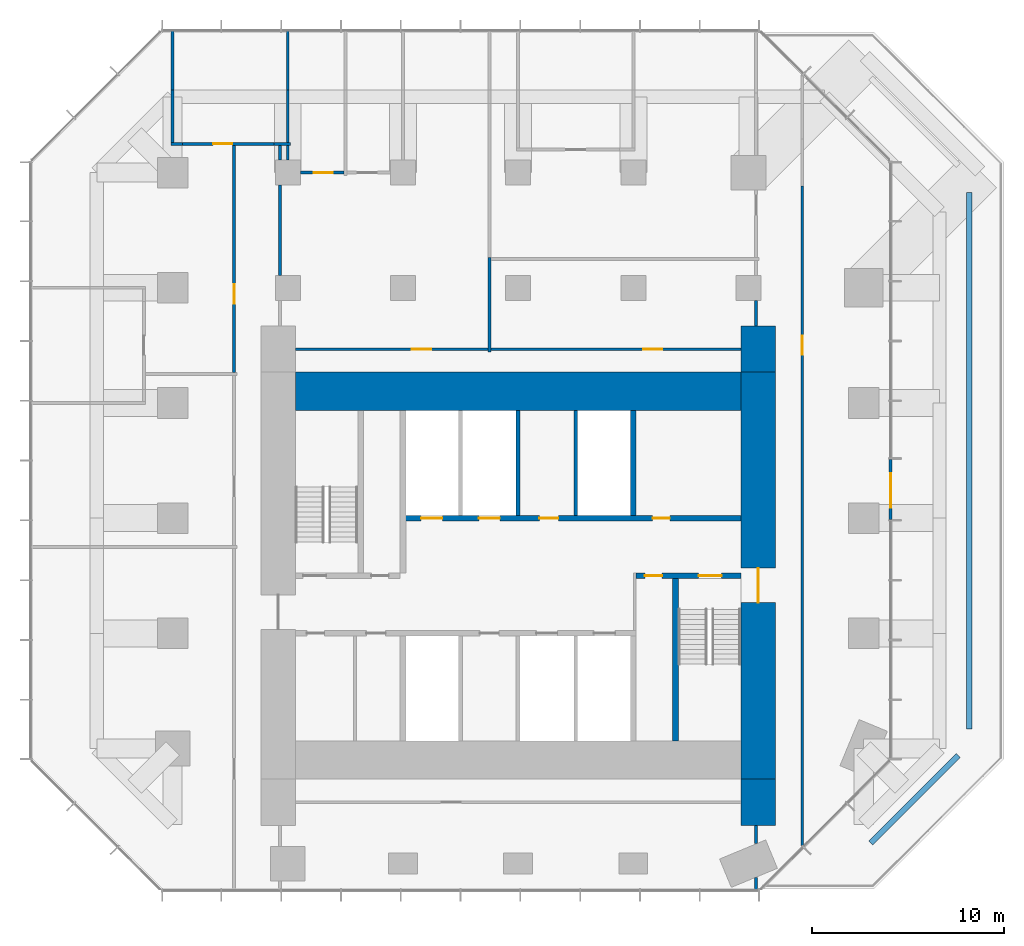
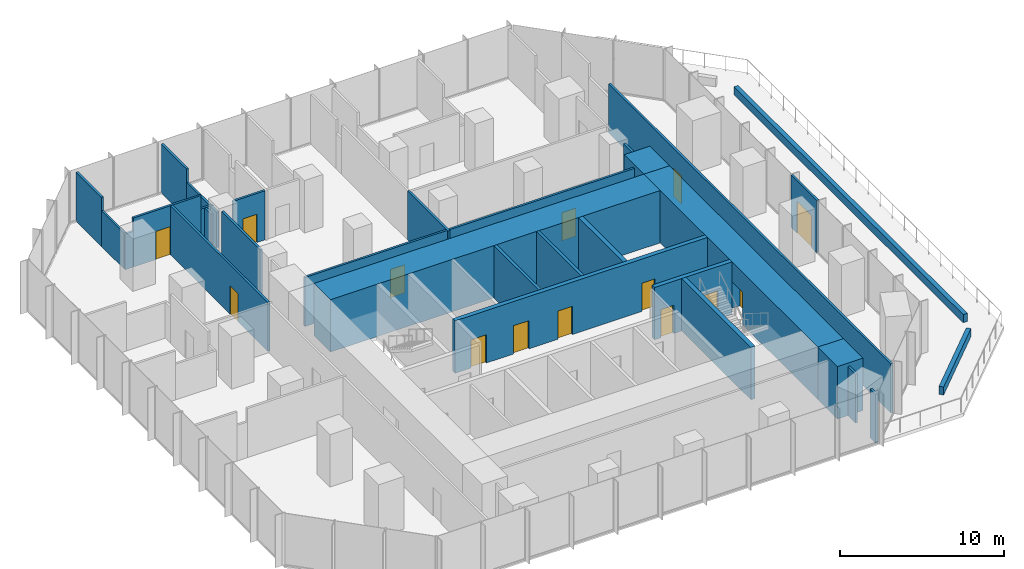
# One storey, part 9 of 11: 32 walls, 14 doors, 14 openings.
"""IFC4 building model written with IfcOpenShell, lengths in metres."""

from ifc_helpers import new_model, si_unit, direction, frame, frame_2d, origin, place, context, subcontext, project, spatial, rectangle, extrude, material, layer, layer_set, type_object, element, fill, save


model = new_model("IFC4")

# Units and contexts
model_context = context("Model", 3, precision=1e-05, world=origin(), true_north=direction((0.0, 1.0)))
body_context = subcontext(model_context, "Body", "Model", "MODEL_VIEW")
ifc_project = project(units=[si_unit("LENGTHUNIT", "METRE"), si_unit("AREAUNIT", "SQUARE_METRE"), si_unit("VOLUMEUNIT", "CUBIC_METRE"), si_unit("PLANEANGLEUNIT", "RADIAN"), si_unit("MASSUNIT", "GRAM", prefix="KILO")], contexts=[model_context])

# Site, building, storey
site_placement = place(None, origin())
site = spatial("IfcSite", under=ifc_project, at=site_placement, CompositionType="ELEMENT")
building_placement = place(site_placement, origin())
building = spatial("IfcBuilding", under=site, at=building_placement, Name="Highveld Stack Headquarters", CompositionType="ELEMENT")
storey_placement = place(building_placement, frame((0.0, 0.0, 188.89990234375)))
storey = spatial("IfcBuildingStorey", under=building, at=storey_placement, Name="L46", CompositionType="ELEMENT", Elevation=188.89990234375)

# Wall, opening, door
ifc_material_1 = material(Name="Concrete C60/75", Category="concrete")
ifc_layer_1 = layer(ifc_material_1, 1.800048828125)
ifc_layer_set_1 = layer_set([ifc_layer_1], Name="Concrete C60/75")
wall_type_1 = type_object("IfcWallType", Name="CORE WALL 1800 C60/75", PredefinedType="SHEAR", material=ifc_layer_set_1)
wall_1_placement = place(storey_placement, frame((18.5, -7.60009765625, 0.0), z_axis=(0.0, 0.0, 1.0), x_axis=(0.0, 1.0, 0.0)))
wall_1 = element("IfcWall", 1, at=wall_1_placement, inside=storey, type_object=wall_type_1, Name="Core wall E L46", PredefinedType="SHEAR", context=body_context, shape_type="SweptSolid", body=[
    extrude(rectangle(XDim=21.2001953125, YDim=1.800048828125, at=frame_2d((10.60009765625, 0.0))), origin(), (0.0, 0.0, 1.0), 3.900146484375),
])
opening_1_placement = place(wall_1_placement, frame((9.199951171875, 0.0, 0.0)))
opening_1 = element("IfcOpeningElement", 2, at=opening_1_placement, cuts=wall_1, Name="Opening L46-03", PredefinedType="OPENING", context=body_context, shape_type="SweptSolid", body=[
    extrude(rectangle(XDim=1.800048828125, YDim=2.39990234375, at=frame_2d((0.89990234375, 1.199951171875))), frame((0.0, 0.909912109375, 0.0), z_axis=(0.0, -1.0, 0.0), x_axis=(1.0, 0.0, 0.0)), (0.0, 0.0, 1.0), 1.820068359375),
])
ifc_material_2 = material(Name="Steel fire door", Category="steel")
door_type_1 = type_object("IfcDoorType", Name="LOBBY FIRE DOOR D4 1800x2400", OperationType="DOUBLE_DOOR_SINGLE_SWING", PredefinedType="DOOR", material=ifc_material_2)
door_1_placement = place(opening_1_placement, origin())
door_1 = element("IfcDoor", 3, at=door_1_placement, inside=storey, type_object=door_type_1, Name="Core east door L46", OperationType="DOUBLE_DOOR_SINGLE_SWING", OverallHeight=2.39990234375, OverallWidth=1.800048828125, PredefinedType="DOOR", context=body_context, shape_type="SweptSolid", body=[
    extrude(rectangle(XDim=1.800048828125, YDim=2.39990234375, at=frame_2d((0.89990234375, 1.199951171875))), frame((0.0, 0.02490234375, 0.0), z_axis=(0.0, -1.0, 0.0), x_axis=(1.0, 0.0, 0.0)), (0.0, 0.0, 1.0), 0.050048828125),
])
fill(opening_1, door_1)

# Wall
ifc_material_3 = material(Name="Concrete C60/75", Category="concrete")
ifc_layer_2 = layer(ifc_material_3, 2.0)
ifc_layer_set_2 = layer_set([ifc_layer_2], Name="Concrete C60/75")
wall_type_2 = type_object("IfcWallType", Name="CORE WALL 2000 C60/75", PredefinedType="SHEAR", material=ifc_layer_set_2)
wall_2_placement = place(storey_placement, frame((-5.60009765625, 12.60009765625, 0.0), z_axis=(0.0, 0.0, 1.0), x_axis=(1.0, 0.0, 0.0)))
element("IfcWall", 4, at=wall_2_placement, inside=storey, type_object=wall_type_2, Name="Core wall N L46", PredefinedType="SHEAR", context=body_context, shape_type="SweptSolid", body=[
    extrude(rectangle(XDim=23.2001953125, YDim=2.0, at=frame_2d((11.60009765625, 0.0))), origin(), (0.0, 0.0, 1.0), 3.900146484375),
])

# Wall, openings, doors
ifc_material_4 = material(Name="Concrete C60/75", Category="concrete")
ifc_layer_3 = layer(ifc_material_4, 0.300048828125)
ifc_layer_set_3 = layer_set([ifc_layer_3], Name="Concrete C60/75")
wall_type_3 = type_object("IfcWallType", Name="CORE WALL 300 C60/75", PredefinedType="SHEAR", material=ifc_layer_set_3)
wall_3_placement = place(storey_placement, frame((12.14990234375, 3.0, 0.0), z_axis=(0.0, 0.0, 1.0), x_axis=(1.0, 0.0, 0.0)))
wall_3 = element("IfcWall", 5, at=wall_3_placement, inside=storey, type_object=wall_type_3, Name="Core wall I-Y3E L46", PredefinedType="SHEAR", context=body_context, shape_type="SweptSolid", body=[
    extrude(rectangle(XDim=5.4501953125, YDim=0.300048828125, at=frame_2d((2.72509765625, 0.0))), origin(), (0.0, 0.0, 1.0), 3.900146484375),
])
opening_2_placement = place(wall_3_placement, frame((3.25, 0.0, 0.0)))
opening_2 = element("IfcOpeningElement", 6, at=opening_2_placement, cuts=wall_3, Name="Opening L46-06", PredefinedType="OPENING", context=body_context, shape_type="SweptSolid", body=[
    extrude(rectangle(XDim=1.199951171875, YDim=2.10009765625, at=frame_2d((0.60009765625, 1.050048828125))), frame((0.0, 0.159912109375, 0.0), z_axis=(0.0, -1.0, 0.0), x_axis=(1.0, 0.0, 0.0)), (0.0, 0.0, 1.0), 0.320068359375),
])
opening_3_placement = place(wall_3_placement, frame((0.449951171875, 0.0, 0.0)))
opening_3 = element("IfcOpeningElement", 7, at=opening_3_placement, cuts=wall_3, Name="Opening L46-07", PredefinedType="OPENING", context=body_context, shape_type="SweptSolid", body=[
    extrude(rectangle(XDim=0.89990234375, YDim=2.10009765625, at=frame_2d((0.449951171875, 1.050048828125))), frame((0.0, 0.159912109375, 0.0), z_axis=(0.0, -1.0, 0.0), x_axis=(1.0, 0.0, 0.0)), (0.0, 0.0, 1.0), 0.320068359375),
])
ifc_material_5 = material(Name="Steel fire door", Category="steel")
door_type_2 = type_object("IfcDoorType", Name="RISER ACCESS DOOR D5 900x2100", OperationType="SINGLE_SWING_LEFT", PredefinedType="DOOR", material=ifc_material_5)
door_2_placement = place(opening_3_placement, origin())
door_2 = element("IfcDoor", 8, at=door_2_placement, inside=storey, type_object=door_type_2, Name="Riser R2 door L46", OperationType="SINGLE_SWING_LEFT", OverallHeight=2.10009765625, OverallWidth=0.89990234375, PredefinedType="DOOR", context=body_context, shape_type="SweptSolid", body=[
    extrude(rectangle(XDim=0.89990234375, YDim=2.10009765625, at=frame_2d((0.449951171875, 1.050048828125))), frame((0.0, 0.02490234375, 0.0), z_axis=(0.0, -1.0, 0.0), x_axis=(1.0, 0.0, 0.0)), (0.0, 0.0, 1.0), 0.050048828125),
])
fill(opening_3, door_2)
ifc_material_6 = material(Name="Steel fire door", Category="steel")
door_type_3 = type_object("IfcDoorType", Name="STAIR FIRE DOOR D3 1200x2100", OperationType="SINGLE_SWING_LEFT", PredefinedType="DOOR", material=ifc_material_6)
door_3_placement = place(opening_2_placement, origin())
door_3 = element("IfcDoor", 9, at=door_3_placement, inside=storey, type_object=door_type_3, Name="Stair S2 door L46", OperationType="SINGLE_SWING_RIGHT", OverallHeight=2.10009765625, OverallWidth=1.199951171875, PredefinedType="DOOR", context=body_context, shape_type="SweptSolid", body=[
    extrude(rectangle(XDim=1.199951171875, YDim=2.10009765625, at=frame_2d((0.60009765625, 1.050048828125))), frame((0.0, 0.02490234375, 0.0), z_axis=(0.0, -1.0, 0.0), x_axis=(1.0, 0.0, 0.0)), (0.0, 0.0, 1.0), 0.050048828125),
])
fill(opening_2, door_3)

wall_4_placement = place(storey_placement, frame((-0.14990234375, 6.0, 0.0), z_axis=(0.0, 0.0, 1.0), x_axis=(1.0, 0.0, 0.0)))
wall_4 = element("IfcWall", 10, at=wall_4_placement, inside=storey, type_object=wall_type_3, Name="Core wall I-Y6 L46", PredefinedType="SHEAR", context=body_context, shape_type="SweptSolid", body=[
    extrude(rectangle(XDim=17.75, YDim=0.300048828125, at=frame_2d((8.875, 0.0))), origin(), (0.0, 0.0, 1.0), 3.900146484375),
])
opening_4_placement = place(wall_4_placement, frame((13.14990234375, 0.0, 0.0)))
opening_4 = element("IfcOpeningElement", 11, at=opening_4_placement, cuts=wall_4, Name="Opening L46-10", PredefinedType="OPENING", context=body_context, shape_type="SweptSolid", body=[
    extrude(rectangle(XDim=0.89990234375, YDim=2.10009765625, at=frame_2d((0.449951171875, 1.050048828125))), frame((0.0, 0.159912109375, 0.0), z_axis=(0.0, -1.0, 0.0), x_axis=(1.0, 0.0, 0.0)), (0.0, 0.0, 1.0), 0.320068359375),
])
opening_5_placement = place(wall_4_placement, frame((7.25, 0.0, 0.0)))
opening_5 = element("IfcOpeningElement", 12, at=opening_5_placement, cuts=wall_4, Name="Opening L46-11", PredefinedType="OPENING", context=body_context, shape_type="SweptSolid", body=[
    extrude(rectangle(XDim=1.0, YDim=2.10009765625, at=frame_2d((0.5, 1.050048828125))), frame((0.0, 0.159912109375, 0.0), z_axis=(0.0, -1.0, 0.0), x_axis=(1.0, 0.0, 0.0)), (0.0, 0.0, 1.0), 0.320068359375),
])
opening_6_placement = place(wall_4_placement, frame((1.10009765625, 0.0, 0.0)))
opening_6 = element("IfcOpeningElement", 13, at=opening_6_placement, cuts=wall_4, Name="Opening LD", PredefinedType="OPENING", context=body_context, shape_type="SweptSolid", body=[
    extrude(rectangle(XDim=1.10009765625, YDim=2.10009765625, at=frame_2d((0.550048828125, 1.050048828125))), frame((0.0, 0.159912109375, 0.0), z_axis=(0.0, -1.0, 0.0), x_axis=(1.0, 0.0, 0.0)), (0.0, 0.0, 1.0), 0.320068359375),
])
opening_7_placement = place(wall_4_placement, frame((4.10009765625, 0.0, 0.0)))
opening_7 = element("IfcOpeningElement", 14, at=opening_7_placement, cuts=wall_4, Name="Opening LD", PredefinedType="OPENING", context=body_context, shape_type="SweptSolid", body=[
    extrude(rectangle(XDim=1.10009765625, YDim=2.10009765625, at=frame_2d((0.550048828125, 1.050048828125))), frame((0.0, 0.159912109375, 0.0), z_axis=(0.0, -1.0, 0.0), x_axis=(1.0, 0.0, 0.0)), (0.0, 0.0, 1.0), 0.320068359375),
])
ifc_material_7 = material(Name="Steel fire door", Category="steel")
door_type_4 = type_object("IfcDoorType", Name="CORE ROOM FIRE DOOR D14 1000x2100", OperationType="SINGLE_SWING_LEFT", PredefinedType="DOOR", material=ifc_material_7)
door_4_placement = place(opening_5_placement, origin())
door_4 = element("IfcDoor", 15, at=door_4_placement, inside=storey, type_object=door_type_4, Name="Capped A 1 door L46", OperationType="SINGLE_SWING_LEFT", OverallHeight=2.10009765625, OverallWidth=1.0, PredefinedType="DOOR", context=body_context, shape_type="SweptSolid", body=[
    extrude(rectangle(XDim=1.0, YDim=2.10009765625, at=frame_2d((0.5, 1.050048828125))), frame((0.0, 0.02490234375, 0.0), z_axis=(0.0, -1.0, 0.0), x_axis=(1.0, 0.0, 0.0)), (0.0, 0.0, 1.0), 0.050048828125),
])
fill(opening_5, door_4)
ifc_material_8 = material(Name="Stainless steel lift landing door", Category="steel")
door_type_5 = type_object("IfcDoorType", Name="LIFT LANDING DOOR LD 1100x2100", OperationType="DOUBLE_DOOR_SLIDING", PredefinedType="USERDEFINED", material=ifc_material_8)
door_5_placement = place(opening_6_placement, origin())
door_5 = element("IfcDoor", 16, at=door_5_placement, inside=storey, type_object=door_type_5, Name="Lift landing door FF1 L46", ObjectType="LIFT LANDING DOOR", OperationType="DOUBLE_DOOR_SLIDING", OverallHeight=2.10009765625, OverallWidth=1.10009765625, PredefinedType="USERDEFINED", context=body_context, shape_type="SweptSolid", body=[
    extrude(rectangle(XDim=1.10009765625, YDim=2.10009765625, at=frame_2d((0.550048828125, 1.050048828125))), frame((0.0, 0.02490234375, 0.0), z_axis=(0.0, -1.0, 0.0), x_axis=(1.0, 0.0, 0.0)), (0.0, 0.0, 1.0), 0.050048828125),
])
fill(opening_6, door_5)
door_6_placement = place(opening_7_placement, origin())
door_6 = element("IfcDoor", 17, at=door_6_placement, inside=storey, type_object=door_type_5, Name="Lift landing door FF2 L46", ObjectType="LIFT LANDING DOOR", OperationType="DOUBLE_DOOR_SLIDING", OverallHeight=2.10009765625, OverallWidth=1.10009765625, PredefinedType="USERDEFINED", context=body_context, shape_type="SweptSolid", body=[
    extrude(rectangle(XDim=1.10009765625, YDim=2.10009765625, at=frame_2d((0.550048828125, 1.050048828125))), frame((0.0, 0.02490234375, 0.0), z_axis=(0.0, -1.0, 0.0), x_axis=(1.0, 0.0, 0.0)), (0.0, 0.0, 1.0), 0.050048828125),
])
fill(opening_7, door_6)
ifc_material_9 = material(Name="Timber door, painted", Category="wood")
door_type_6 = type_object("IfcDoorType", Name="WC DOOR D1 900x2100", OperationType="SINGLE_SWING_LEFT", PredefinedType="DOOR", material=ifc_material_9)
door_7_placement = place(opening_4_placement, origin())
door_7 = element("IfcDoor", 18, at=door_7_placement, inside=storey, type_object=door_type_6, Name="Male WC door L46", OperationType="SINGLE_SWING_RIGHT", OverallHeight=2.10009765625, OverallWidth=0.89990234375, PredefinedType="DOOR", context=body_context, shape_type="SweptSolid", body=[
    extrude(rectangle(XDim=0.89990234375, YDim=2.10009765625, at=frame_2d((0.449951171875, 1.050048828125))), frame((0.0, 0.02490234375, 0.0), z_axis=(0.0, -1.0, 0.0), x_axis=(1.0, 0.0, 0.0)), (0.0, 0.0, 1.0), 0.050048828125),
])
fill(opening_4, door_7)

# Walls
wall_5_placement = place(storey_placement, frame((12.0, 6.14990234375, 0.0), z_axis=(0.0, 0.0, 1.0), x_axis=(0.0, 1.0, 0.0)))
element("IfcWall", 19, at=wall_5_placement, inside=storey, type_object=wall_type_3, Name="Core wall I-X12N L46", PredefinedType="SHEAR", context=body_context, shape_type="SweptSolid", body=[
    extrude(rectangle(XDim=5.4501953125, YDim=0.300048828125, at=frame_2d((2.72509765625, 0.0))), origin(), (0.0, 0.0, 1.0), 3.900146484375),
])
wall_6_placement = place(storey_placement, frame((14.199951171875, -5.60009765625, 0.0), z_axis=(0.0, 0.0, 1.0), x_axis=(0.0, 1.0, 0.0)))
element("IfcWall", 20, at=wall_6_placement, inside=storey, type_object=wall_type_3, Name="Core wall I-RE L46", PredefinedType="SHEAR", context=body_context, shape_type="SweptSolid", body=[
    extrude(rectangle(XDim=8.4501953125, YDim=0.300048828125, at=frame_2d((4.22509765625, 0.0))), origin(), (0.0, 0.0, 1.0), 3.900146484375),
])
ifc_material_10 = material(Name="Concrete C60/75", Category="concrete")
ifc_layer_4 = layer(ifc_material_10, 1.800048828125)
ifc_layer_set_4 = layer_set([ifc_layer_4], Name="Concrete C60/75")
wall_type_4 = type_object("IfcWallType", Name="CORE WING WALL 1800 C60/75", PredefinedType="SHEAR", material=ifc_layer_set_4)
for number, where, z_axis, x_axis, name in (
    (21, (18.5, -10.0, 0.0), (0.0, 0.0, 1.0), (0.0, 1.0, 0.0), "Core wing wall ES L46"),
    (22, (18.5, 13.60009765625, 0.0), (0.0, 0.0, 1.0), (0.0, 1.0, 0.0), "Core wing wall EN L46"),
):
    element("IfcWall", number, at=place(storey_placement, frame(where, z_axis=z_axis, x_axis=x_axis)), inside=storey, type_object=wall_type_4, Name=name, PredefinedType="SHEAR", context=body_context, shape_type="SweptSolid", body=[
        extrude(rectangle(XDim=2.39990234375, YDim=1.800048828125, at=frame_2d((1.199951171875, 0.0))), origin(), (0.0, 0.0, 1.0), 3.900146484375),
    ])

# Wall, opening, door
ifc_material_11 = material(Name="Aluminium framed glazed screen", Category="aluminium")
ifc_layer_5 = layer(ifc_material_11, 0.14990234375)
ifc_layer_set_5 = layer_set([ifc_layer_5], Name="Aluminium framed glazed screen")
wall_type_5 = type_object("IfcWallType", Name="GLAZED DOOR SCREEN 150", PredefinedType="USERDEFINED", material=ifc_layer_set_5)
wall_7_placement = place(storey_placement, frame((25.39990234375, 9.04248046875, 0.0), z_axis=(0.0, 0.0, 1.0), x_axis=(0.0, -1.0, 0.0)))
wall_7 = element("IfcWall", 23, at=wall_7_placement, inside=storey, type_object=wall_type_5, Name="Glazed door screen L46 E", ObjectType="GLAZED SCREEN", PredefinedType="USERDEFINED", context=body_context, shape_type="SweptSolid", body=[
    extrude(rectangle(XDim=3.1259765625, YDim=0.14990234375, at=frame_2d((1.56298828125, 0.0))), origin(), (0.0, 0.0, 1.0), 3.900146484375),
])
opening_8_placement = place(wall_7_placement, frame((0.700439453125, 0.0, 0.0)))
opening_8 = element("IfcOpeningElement", 24, at=opening_8_placement, cuts=wall_7, Name="Opening L46-01", PredefinedType="OPENING", context=body_context, shape_type="SweptSolid", body=[
    extrude(rectangle(XDim=1.800048828125, YDim=2.39990234375, at=frame_2d((0.89990234375, 1.199951171875))), frame((0.0, 0.0849609375, 0.0), z_axis=(0.0, -1.0, 0.0), x_axis=(1.0, 0.0, 0.0)), (0.0, 0.0, 1.0), 0.169921875),
])
ifc_material_12 = material(Name="Aluminium framed glass door", Category="aluminium")
door_type_7 = type_object("IfcDoorType", Name="TERRACE DOOR D8 1800x2400", OperationType="DOUBLE_DOOR_SINGLE_SWING", PredefinedType="DOOR", material=ifc_material_12)
door_8_placement = place(opening_8_placement, origin())
door_8 = element("IfcDoor", 25, at=door_8_placement, inside=storey, type_object=door_type_7, Name="Terrace door L46 E", OperationType="DOUBLE_DOOR_SINGLE_SWING", OverallHeight=2.39990234375, OverallWidth=1.800048828125, PredefinedType="DOOR", context=body_context, shape_type="SweptSolid", body=[
    extrude(rectangle(XDim=1.800048828125, YDim=2.39990234375, at=frame_2d((0.89990234375, 1.199951171875))), frame((0.0, 0.02490234375, 0.0), z_axis=(0.0, -1.0, 0.0), x_axis=(1.0, 0.0, 0.0)), (0.0, 0.0, 1.0), 0.050048828125),
])
fill(opening_8, door_8)

# Walls
ifc_material_13 = material(Name="Concrete blockwork, fair-faced", Category="masonry")
ifc_layer_6 = layer(ifc_material_13, 0.199951171875)
ifc_layer_set_6 = layer_set([ifc_layer_6], Name="Concrete blockwork, fair-faced")
wall_type_6 = type_object("IfcWallType", Name="LIFT SHAFT ENCLOSURE WALL 200 BLOCKWORK", PredefinedType="SOLIDWALL", material=ifc_layer_set_6)
for number, where, z_axis, x_axis, name in (
    (26, (6.0, 6.14990234375, 0.0), (0.0, 0.0, 1.0), (0.0, 1.0, 0.0), "Lift shaft wall L46"),
    (27, (9.0, 6.14990234375, 0.0), (0.0, 0.0, 1.0), (0.0, 1.0, 0.0), "Lift shaft wall L46"),
):
    element("IfcWall", number, at=place(storey_placement, frame(where, z_axis=z_axis, x_axis=x_axis)), inside=storey, type_object=wall_type_6, Name=name, PredefinedType="SOLIDWALL", context=body_context, shape_type="SweptSolid", body=[
        extrude(rectangle(XDim=5.4501953125, YDim=0.199951171875, at=frame_2d((2.72509765625, 0.0))), origin(), (0.0, 0.0, 1.0), 3.900146484375),
    ])

# Wall, opening, door
ifc_material_14 = material(Name="Gypsum plasterboard on steel studs", Category="steel")
ifc_layer_7 = layer(ifc_material_14, 0.14990234375)
ifc_layer_set_7 = layer_set([ifc_layer_7], Name="Gypsum plasterboard on steel studs")
wall_type_7 = type_object("IfcWallType", Name="PARTITION 150 PLASTERBOARD", PredefinedType="PARTITIONING", material=ifc_layer_set_7)
wall_8_placement = place(storey_placement, frame((-5.340087890625, 24.0, 0.0), z_axis=(0.0, 0.0, 1.0), x_axis=(1.0, 0.0, 0.0)))
wall_8 = element("IfcWall", 28, at=wall_8_placement, inside=storey, type_object=wall_type_7, Name="Partition Office L46", PredefinedType="PARTITIONING", context=body_context, shape_type="SweptSolid", body=[
    extrude(rectangle(XDim=2.26513671875, YDim=0.14990234375, at=frame_2d((1.132568359375, 0.0))), origin(), (0.0, 0.0, 1.0), 3.650146484375),
])
opening_9_placement = place(wall_8_placement, frame((0.695068359375, 0.0, 0.0)))
opening_9 = element("IfcOpeningElement", 29, at=opening_9_placement, cuts=wall_8, Name="Opening L46-15", PredefinedType="OPENING", context=body_context, shape_type="SweptSolid", body=[
    extrude(rectangle(XDim=1.0, YDim=2.10009765625, at=frame_2d((0.5, 1.050048828125))), frame((0.0, 0.0849609375, 0.0), z_axis=(0.0, -1.0, 0.0), x_axis=(1.0, 0.0, 0.0)), (0.0, 0.0, 1.0), 0.169921875),
])
ifc_material_15 = material(Name="Timber door, oiled ash", Category="wood")
door_type_8 = type_object("IfcDoorType", Name="ROOM DOOR D6 1000x2100", OperationType="SINGLE_SWING_LEFT", PredefinedType="DOOR", material=ifc_material_15)
door_9_placement = place(opening_9_placement, origin())
door_9 = element("IfcDoor", 30, at=door_9_placement, inside=storey, type_object=door_type_8, Name="Office door 1 L46", OperationType="SINGLE_SWING_RIGHT", OverallHeight=2.10009765625, OverallWidth=1.0, PredefinedType="DOOR", context=body_context, shape_type="SweptSolid", body=[
    extrude(rectangle(XDim=1.0, YDim=2.10009765625, at=frame_2d((0.5, 1.050048828125))), frame((0.0, 0.02490234375, 0.0), z_axis=(0.0, -1.0, 0.0), x_axis=(1.0, 0.0, 0.0)), (0.0, 0.0, 1.0), 0.050048828125),
])
fill(opening_9, door_9)

# Wall
wall_9_placement = place(storey_placement, frame((-12.074951171875, 25.5, 0.0), z_axis=(0.0, 0.0, 1.0), x_axis=(1.0, 0.0, 0.0)))
element("IfcWall", 31, at=wall_9_placement, inside=storey, type_object=wall_type_7, Name="Partition Quiet room L46", PredefinedType="PARTITIONING", context=body_context, shape_type="SweptSolid", body=[
    extrude(rectangle(XDim=0.5849609375, YDim=0.14990234375, at=frame_2d((0.29248046875, 0.0))), origin(), (0.0, 0.0, 1.0), 2.650146484375),
])

# Wall, opening, door
wall_10_placement = place(storey_placement, frame((-11.489990234375, 25.5, 0.0), z_axis=(0.0, 0.0, 1.0), x_axis=(1.0, 0.0, 0.0)))
wall_10 = element("IfcWall", 32, at=wall_10_placement, inside=storey, type_object=wall_type_7, Name="Partition Quiet room L46", PredefinedType="PARTITIONING", context=body_context, shape_type="SweptSolid", body=[
    extrude(rectangle(XDim=4.780029296875, YDim=0.14990234375, at=frame_2d((2.39013671875, 0.0))), origin(), (0.0, 0.0, 1.0), 3.650146484375),
])
opening_10_placement = place(wall_10_placement, frame((1.60009765625, 0.0, 0.0)))
opening_10 = element("IfcOpeningElement", 33, at=opening_10_placement, cuts=wall_10, Name="Opening L46-14", PredefinedType="OPENING", context=body_context, shape_type="SweptSolid", body=[
    extrude(rectangle(XDim=1.0, YDim=2.10009765625, at=frame_2d((0.5, 1.050048828125))), frame((0.0, 0.0849609375, 0.0), z_axis=(0.0, -1.0, 0.0), x_axis=(1.0, 0.0, 0.0)), (0.0, 0.0, 1.0), 0.169921875),
])
door_10_placement = place(opening_10_placement, origin())
door_10 = element("IfcDoor", 34, at=door_10_placement, inside=storey, type_object=door_type_8, Name="Quiet room door 1 L46", OperationType="SINGLE_SWING_LEFT", OverallHeight=2.10009765625, OverallWidth=1.0, PredefinedType="DOOR", context=body_context, shape_type="SweptSolid", body=[
    extrude(rectangle(XDim=1.0, YDim=2.10009765625, at=frame_2d((0.5, 1.050048828125))), frame((0.0, 0.02490234375, 0.0), z_axis=(0.0, -1.0, 0.0), x_axis=(1.0, 0.0, 0.0)), (0.0, 0.0, 1.0), 0.050048828125),
])
fill(opening_10, door_10)

# Walls
wall_11_placement = place(storey_placement, frame((-6.7099609375, 25.5, 0.0), z_axis=(0.0, 0.0, 1.0), x_axis=(1.0, 0.0, 0.0)))
element("IfcWall", 35, at=wall_11_placement, inside=storey, type_object=wall_type_7, Name="Partition Quiet room L46", PredefinedType="PARTITIONING", context=body_context, shape_type="SweptSolid", body=[
    extrude(rectangle(XDim=0.85986328125, YDim=0.14990234375, at=frame_2d((0.429931640625, 0.0))), origin(), (0.0, 0.0, 1.0), 2.650146484375),
])
wall_12_placement = place(storey_placement, frame((-12.0, 25.574951171875, 0.0), z_axis=(0.0, 0.0, 1.0), x_axis=(0.0, 1.0, 0.0)))
element("IfcWall", 36, at=wall_12_placement, inside=storey, type_object=wall_type_7, Name="Partition Quiet room L46", PredefinedType="PARTITIONING", context=body_context, shape_type="SweptSolid", body=[
    extrude(rectangle(XDim=2.735107421875, YDim=0.14990234375, at=frame_2d((1.36767578125, 0.0))), origin(), (0.0, 0.0, 1.0), 2.650146484375),
])
wall_13_placement = place(storey_placement, frame((-12.0, 28.31005859375, 0.0), z_axis=(0.0, 0.0, 1.0), x_axis=(0.0, 1.0, 0.0)))
element("IfcWall", 37, at=wall_13_placement, inside=storey, type_object=wall_type_7, Name="Partition Quiet room L46", PredefinedType="PARTITIONING", context=body_context, shape_type="SweptSolid", body=[
    extrude(rectangle(XDim=3.08984375, YDim=0.14990234375, at=frame_2d((1.544921875, 0.0))), origin(), (0.0, 0.0, 1.0), 3.650146484375),
])
wall_14_placement = place(storey_placement, frame((-6.0, 24.64990234375, 0.0), z_axis=(0.0, 0.0, 1.0), x_axis=(0.0, 1.0, 0.0)))
element("IfcWall", 38, at=wall_14_placement, inside=storey, type_object=wall_type_7, Name="Partition Office L46", PredefinedType="PARTITIONING", context=body_context, shape_type="SweptSolid", body=[
    extrude(rectangle(XDim=0.775146484375, YDim=0.14990234375, at=frame_2d((0.3876953125, 0.0))), origin(), (0.0, 0.0, 1.0), 2.650146484375),
])
wall_15_placement = place(storey_placement, frame((-6.0, 25.574951171875, 0.0), z_axis=(0.0, 0.0, 1.0), x_axis=(0.0, 1.0, 0.0)))
element("IfcWall", 39, at=wall_15_placement, inside=storey, type_object=wall_type_7, Name="Partition Office / Quiet room L46", PredefinedType="PARTITIONING", context=body_context, shape_type="SweptSolid", body=[
    extrude(rectangle(XDim=2.735107421875, YDim=0.14990234375, at=frame_2d((1.36767578125, 0.0))), origin(), (0.0, 0.0, 1.0), 2.650146484375),
])
wall_16_placement = place(storey_placement, frame((-6.0, 28.31005859375, 0.0), z_axis=(0.0, 0.0, 1.0), x_axis=(0.0, 1.0, 0.0)))
element("IfcWall", 40, at=wall_16_placement, inside=storey, type_object=wall_type_7, Name="Partition Office / Quiet room L46", PredefinedType="PARTITIONING", context=body_context, shape_type="SweptSolid", body=[
    extrude(rectangle(XDim=3.08984375, YDim=0.14990234375, at=frame_2d((1.544921875, 0.0))), origin(), (0.0, 0.0, 1.0), 3.650146484375),
])

# Wall, opening, door
wall_17_placement = place(storey_placement, frame((-8.800048828125, 13.574951171875, 0.0), z_axis=(0.0, 0.0, 1.0), x_axis=(0.0, 1.0, 0.0)))
wall_17 = element("IfcWall", 41, at=wall_17_placement, inside=storey, type_object=wall_type_7, Name="Partition office neighbourhood L46", PredefinedType="PARTITIONING", context=body_context, shape_type="SweptSolid", body=[
    extrude(rectangle(XDim=11.85009765625, YDim=0.14990234375, at=frame_2d((5.925048828125, 0.0))), origin(), (0.0, 0.0, 1.0), 3.650146484375),
])
opening_11_placement = place(wall_17_placement, frame((3.59912109375, 0.0, 0.0)))
opening_11 = element("IfcOpeningElement", 42, at=opening_11_placement, cuts=wall_17, Name="Opening L46-23", PredefinedType="OPENING", context=body_context, shape_type="SweptSolid", body=[
    extrude(rectangle(XDim=1.0, YDim=2.10009765625, at=frame_2d((0.5, 1.050048828125))), frame((0.0, 0.0849609375, 0.0), z_axis=(0.0, -1.0, 0.0), x_axis=(1.0, 0.0, 0.0)), (0.0, 0.0, 1.0), 0.169921875),
])
door_11_placement = place(opening_11_placement, origin())
door_11 = element("IfcDoor", 43, at=door_11_placement, inside=storey, type_object=door_type_8, Name="Office neighbourhood door L46", OperationType="SINGLE_SWING_LEFT", OverallHeight=2.10009765625, OverallWidth=1.0, PredefinedType="DOOR", context=body_context, shape_type="SweptSolid", body=[
    extrude(rectangle(XDim=1.0, YDim=2.10009765625, at=frame_2d((0.5, 1.050048828125))), frame((0.0, 0.02490234375, 0.0), z_axis=(0.0, -1.0, 0.0), x_axis=(1.0, 0.0, 0.0)), (0.0, 0.0, 1.0), 0.050048828125),
])
fill(opening_11, door_11)

# Walls
wall_18_placement = place(storey_placement, frame((-6.39990234375, 18.64990234375, 0.0), z_axis=(0.0, 0.0, 1.0), x_axis=(0.0, 1.0, 0.0)))
element("IfcWall", 44, at=wall_18_placement, inside=storey, type_object=wall_type_7, Name="Partition office neighbourhood L46", PredefinedType="PARTITIONING", context=body_context, shape_type="SweptSolid", body=[
    extrude(rectangle(XDim=4.7001953125, YDim=0.14990234375, at=frame_2d((2.35009765625, 0.0))), origin(), (0.0, 0.0, 1.0), 3.650146484375),
])
wall_19_placement = place(storey_placement, frame((-6.39990234375, 24.64990234375, 0.0), z_axis=(0.0, 0.0, 1.0), x_axis=(0.0, 1.0, 0.0)))
element("IfcWall", 45, at=wall_19_placement, inside=storey, type_object=wall_type_7, Name="Partition office neighbourhood L46", PredefinedType="PARTITIONING", context=body_context, shape_type="SweptSolid", body=[
    extrude(rectangle(XDim=0.775146484375, YDim=0.14990234375, at=frame_2d((0.3876953125, 0.0))), origin(), (0.0, 0.0, 1.0), 2.650146484375),
])

# Wall, opening, door
wall_20_placement = place(storey_placement, frame((-5.60009765625, 14.800048828125, 0.0), z_axis=(0.0, 0.0, 1.0), x_axis=(1.0, 0.0, 0.0)))
wall_20 = element("IfcWall", 46, at=wall_20_placement, inside=storey, type_object=wall_type_7, Name="Partition office neighbourhood L46", PredefinedType="PARTITIONING", context=body_context, shape_type="SweptSolid", body=[
    extrude(rectangle(XDim=10.025146484375, YDim=0.14990234375, at=frame_2d((5.0126953125, 0.0))), origin(), (0.0, 0.0, 1.0), 3.650146484375),
])
opening_12_placement = place(wall_20_placement, frame((6.06494140625, 0.0, 0.0)))
opening_12 = element("IfcOpeningElement", 47, at=opening_12_placement, cuts=wall_20, Name="Opening L46-25", PredefinedType="OPENING", context=body_context, shape_type="SweptSolid", body=[
    extrude(rectangle(XDim=1.0, YDim=2.10009765625, at=frame_2d((0.5, 1.050048828125))), frame((0.0, 0.0849609375, 0.0), z_axis=(0.0, -1.0, 0.0), x_axis=(1.0, 0.0, 0.0)), (0.0, 0.0, 1.0), 0.169921875),
])
door_12_placement = place(opening_12_placement, origin())
door_12 = element("IfcDoor", 48, at=door_12_placement, inside=storey, type_object=door_type_8, Name="Office neighbourhood door L46", OperationType="SINGLE_SWING_RIGHT", OverallHeight=2.10009765625, OverallWidth=1.0, PredefinedType="DOOR", context=body_context, shape_type="SweptSolid", body=[
    extrude(rectangle(XDim=1.0, YDim=2.10009765625, at=frame_2d((0.5, 1.050048828125))), frame((0.0, 0.02490234375, 0.0), z_axis=(0.0, -1.0, 0.0), x_axis=(1.0, 0.0, 0.0)), (0.0, 0.0, 1.0), 0.050048828125),
])
fill(opening_12, door_12)

# Wall
wall_21_placement = place(storey_placement, frame((4.5, 14.64990234375, 0.0), z_axis=(0.0, 0.0, 1.0), x_axis=(0.0, 1.0, 0.0)))
element("IfcWall", 49, at=wall_21_placement, inside=storey, type_object=wall_type_7, Name="Partition office neighbourhood L46", PredefinedType="PARTITIONING", context=body_context, shape_type="SweptSolid", body=[
    extrude(rectangle(XDim=4.925048828125, YDim=0.14990234375, at=frame_2d((2.46240234375, 0.0))), origin(), (0.0, 0.0, 1.0), 3.650146484375),
])

# Wall, opening, door
wall_22_placement = place(storey_placement, frame((4.574951171875, 14.800048828125, 0.0), z_axis=(0.0, 0.0, 1.0), x_axis=(1.0, 0.0, 0.0)))
wall_22 = element("IfcWall", 50, at=wall_22_placement, inside=storey, type_object=wall_type_7, Name="Partition office neighbourhood L46", PredefinedType="PARTITIONING", context=body_context, shape_type="SweptSolid", body=[
    extrude(rectangle(XDim=13.025146484375, YDim=0.14990234375, at=frame_2d((6.5126953125, 0.0))), origin(), (0.0, 0.0, 1.0), 3.650146484375),
])
opening_13_placement = place(wall_22_placement, frame((7.93994140625, 0.0, 0.0)))
opening_13 = element("IfcOpeningElement", 51, at=opening_13_placement, cuts=wall_22, Name="Opening L46-22", PredefinedType="OPENING", context=body_context, shape_type="SweptSolid", body=[
    extrude(rectangle(XDim=1.0, YDim=2.10009765625, at=frame_2d((0.5, 1.050048828125))), frame((0.0, 0.0849609375, 0.0), z_axis=(0.0, -1.0, 0.0), x_axis=(1.0, 0.0, 0.0)), (0.0, 0.0, 1.0), 0.169921875),
])
door_13_placement = place(opening_13_placement, origin())
door_13 = element("IfcDoor", 52, at=door_13_placement, inside=storey, type_object=door_type_8, Name="Office neighbourhood door L46", OperationType="SINGLE_SWING_RIGHT", OverallHeight=2.10009765625, OverallWidth=1.0, PredefinedType="DOOR", context=body_context, shape_type="SweptSolid", body=[
    extrude(rectangle(XDim=1.0, YDim=2.10009765625, at=frame_2d((0.5, 1.050048828125))), frame((0.0, 0.02490234375, 0.0), z_axis=(0.0, -1.0, 0.0), x_axis=(1.0, 0.0, 0.0)), (0.0, 0.0, 1.0), 0.050048828125),
])
fill(opening_13, door_13)

# Walls
wall_23_placement = place(storey_placement, frame((18.39990234375, -13.39990234375, 0.0), z_axis=(0.0, 0.0, 1.0), x_axis=(0.0, 1.0, 0.0)))
element("IfcWall", 53, at=wall_23_placement, inside=storey, type_object=wall_type_7, Name="Partition office neighbourhood L46", PredefinedType="PARTITIONING", context=body_context, shape_type="SweptSolid", body=[
    extrude(rectangle(XDim=0.668701171875, YDim=0.14990234375, at=frame_2d((0.33447265625, 0.0))), origin(), (0.0, 0.0, 1.0), 3.650146484375),
])
wall_24_placement = place(storey_placement, frame((18.39990234375, -10.937255859375, 0.0), z_axis=(0.0, 0.0, 1.0), x_axis=(0.0, 1.0, 0.0)))
element("IfcWall", 54, at=wall_24_placement, inside=storey, type_object=wall_type_7, Name="Partition office neighbourhood L46", PredefinedType="PARTITIONING", context=body_context, shape_type="SweptSolid", body=[
    extrude(rectangle(XDim=0.937255859375, YDim=0.14990234375, at=frame_2d((0.46875, 0.0))), origin(), (0.0, 0.0, 1.0), 3.650146484375),
])
wall_25_placement = place(storey_placement, frame((18.39990234375, 16.0, 0.0), z_axis=(0.0, 0.0, 1.0), x_axis=(0.0, 1.0, 0.0)))
element("IfcWall", 55, at=wall_25_placement, inside=storey, type_object=wall_type_7, Name="Partition office neighbourhood L46", PredefinedType="PARTITIONING", context=body_context, shape_type="SweptSolid", body=[
    extrude(rectangle(XDim=1.35009765625, YDim=0.14990234375, at=frame_2d((0.675048828125, 0.0))), origin(), (0.0, 0.0, 1.0), 3.650146484375),
])

# Wall, opening, door
wall_26_placement = place(storey_placement, frame((20.800048828125, -11.06396484375, 0.0), z_axis=(0.0, 0.0, 1.0), x_axis=(0.0, 1.0, 0.0)))
wall_26 = element("IfcWall", 56, at=wall_26_placement, inside=storey, type_object=wall_type_7, Name="Partition office neighbourhood L46", PredefinedType="PARTITIONING", context=body_context, shape_type="SweptSolid", body=[
    extrude(rectangle(XDim=34.35400390625, YDim=0.14990234375, at=frame_2d((17.177001953125, 0.0))), origin(), (0.0, 0.0, 1.0), 3.650146484375),
])
opening_14_placement = place(wall_26_placement, frame((25.574951171875, 0.0, 0.0)))
opening_14 = element("IfcOpeningElement", 57, at=opening_14_placement, cuts=wall_26, Name="Opening L46-21", PredefinedType="OPENING", context=body_context, shape_type="SweptSolid", body=[
    extrude(rectangle(XDim=1.0, YDim=2.10009765625, at=frame_2d((0.5, 1.050048828125))), frame((0.0, 0.0849609375, 0.0), z_axis=(0.0, -1.0, 0.0), x_axis=(1.0, 0.0, 0.0)), (0.0, 0.0, 1.0), 0.169921875),
])
door_14_placement = place(opening_14_placement, origin())
door_14 = element("IfcDoor", 58, at=door_14_placement, inside=storey, type_object=door_type_8, Name="Office neighbourhood door L46", OperationType="SINGLE_SWING_RIGHT", OverallHeight=2.10009765625, OverallWidth=1.0, PredefinedType="DOOR", context=body_context, shape_type="SweptSolid", body=[
    extrude(rectangle(XDim=1.0, YDim=2.10009765625, at=frame_2d((0.5, 1.050048828125))), frame((0.0, 0.02490234375, 0.0), z_axis=(0.0, -1.0, 0.0), x_axis=(1.0, 0.0, 0.0)), (0.0, 0.0, 1.0), 0.050048828125),
])
fill(opening_14, door_14)

# Walls
ifc_material_16 = material(Name="Concrete C40/50, precast planter", Category="concrete")
ifc_layer_8 = layer(ifc_material_16, 0.300048828125)
ifc_layer_set_8 = layer_set([ifc_layer_8], Name="Concrete C40/50, precast planter")
wall_type_8 = type_object("IfcWallType", Name="PLANTER WALL PL1 300", PredefinedType="USERDEFINED", material=ifc_layer_set_8)
wall_27_placement = place(storey_placement, frame((29.5, 22.976318359375, 0.0), z_axis=(0.0, 0.0, 1.0), x_axis=(0.0, -1.0, 0.0)))
element("IfcWall", 59, at=wall_27_placement, inside=storey, type_object=wall_type_8, Name="Planter L46 1.3", ObjectType="PLANTER", PredefinedType="USERDEFINED", context=body_context, shape_type="SweptSolid", body=[
    extrude(rectangle(XDim=27.95263671875, YDim=0.300048828125, at=frame_2d((13.976318359375, 0.0))), origin(), (0.0, 0.0, 1.0), 0.60009765625),
])
wall_28_placement = place(storey_placement, frame((28.922607421875, -6.370361328125, 0.0), z_axis=(0.0, 0.0, 1.0), x_axis=(-0.707106781187, -0.707106781187, 0.0)))
element("IfcWall", 60, at=wall_28_placement, inside=storey, type_object=wall_type_8, Name="Planter L46 1.4", ObjectType="PLANTER", PredefinedType="USERDEFINED", context=body_context, shape_type="SweptSolid", body=[
    extrude(rectangle(XDim=6.437744140625, YDim=0.300048828125, at=frame_2d((3.21875, 0.0))), origin(), (0.0, 0.0, 1.0), 0.60009765625),
])

save(model, "model.ifc")
